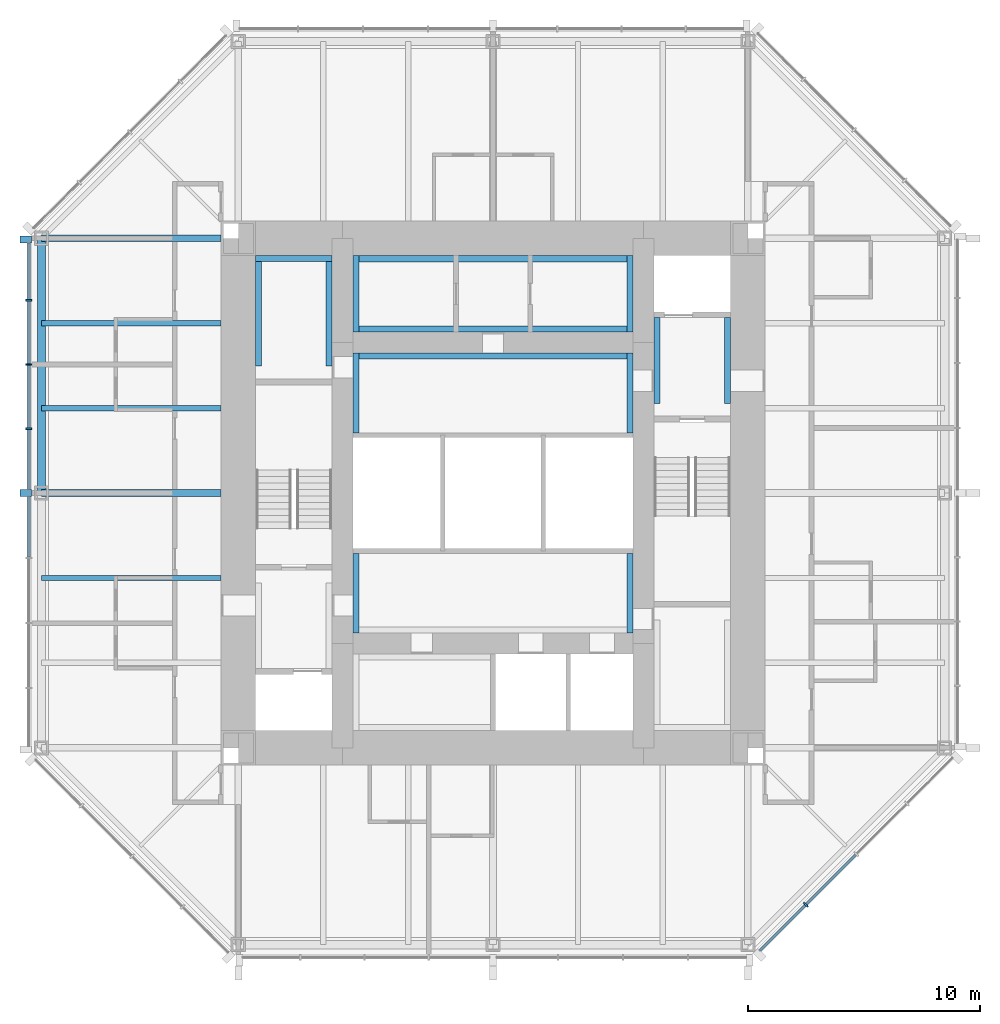
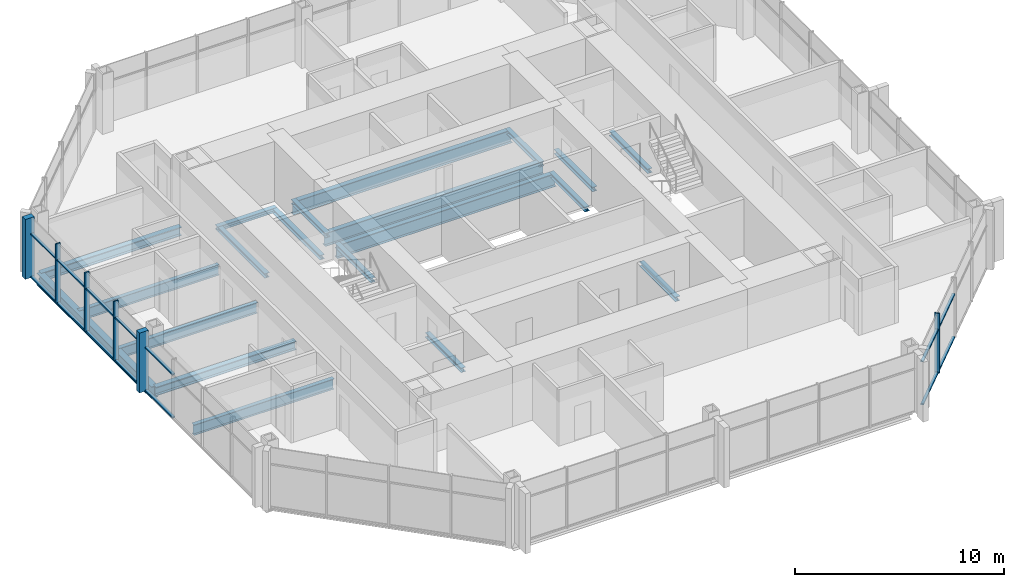
# One storey, part 3 of 11: 20 beams, 20 members, 2 elements without a shape of their own.
"""IFC4 building model written with IfcOpenShell, lengths in metres."""

from ifc_helpers import new_model, si_unit, direction, frame, origin, origin_2d, place, context, subcontext, project, spatial, rectangle, i_section, extrude, material, material_profile, profile_set, type_object, element, aggregate, save


model = new_model("IFC4")

# Units and contexts
model_context = context("Model", 3, precision=1e-05, world=origin(), true_north=direction((0.0, 1.0)))
body_context = subcontext(model_context, "Body", "Model", "MODEL_VIEW")
ifc_project = project(units=[si_unit("LENGTHUNIT", "METRE"), si_unit("AREAUNIT", "SQUARE_METRE"), si_unit("VOLUMEUNIT", "CUBIC_METRE"), si_unit("PLANEANGLEUNIT", "RADIAN"), si_unit("MASSUNIT", "GRAM", prefix="KILO")], contexts=[model_context])

# Site, building, storey
site_placement = place(None, origin())
site = spatial("IfcSite", under=ifc_project, at=site_placement, CompositionType="ELEMENT")
building_placement = place(site_placement, origin())
building = spatial("IfcBuilding", under=site, at=building_placement, Name="Trevanion Tower", CompositionType="ELEMENT")
storey_placement = place(building_placement, frame((0.0, 0.0, 229.199951171875)))
storey = spatial("IfcBuildingStorey", under=building, at=storey_placement, Name="L55", CompositionType="ELEMENT", Elevation=229.199951171875)

# Beams
ifc_material_1 = material(Name="Steel ASTM A992 Grade 50", Category="steel")
ifc_material_profile_1 = material_profile(ifc_material_1, i_section(OverallWidth=0.228271484375, OverallDepth=0.607177734375, WebThickness=0.01123046875, FlangeThickness=0.017333984375, at=origin_2d()), Name="W24X76")
ifc_profile_set_1 = profile_set([ifc_material_profile_1], Name="Steel ASTM A992 Grade 50")
beam_type_1 = type_object("IfcBeamType", Name="B11 W24X76", PredefinedType="BEAM", material=ifc_profile_set_1)
for number, where, z_axis, x_axis, name in (
    (1, (-11.75, 7.333251953125, -0.493408203125), (-1.0, 0.0, 0.0), (0.0, -1.0, 0.0), "B11 L55"),
    (2, (-11.75, 3.666748046875, -0.493408203125), (-1.0, 0.0, 0.0), (0.0, -1.0, 0.0), "B11 L55"),
    (3, (-11.75, -3.666748046875, -0.493408203125), (-1.0, 0.0, 0.0), (0.0, -1.0, 0.0), "B11 L55"),
):
    element("IfcBeam", number, at=place(storey_placement, frame(where, z_axis=z_axis, x_axis=x_axis)), inside=storey, type_object=beam_type_1, Name=name, PredefinedType="BEAM", context=body_context, shape_type="SweptSolid", body=[
        extrude(i_section(OverallWidth=0.228271484375, OverallDepth=0.607177734375, WebThickness=0.01123046875, FlangeThickness=0.017333984375, at=origin_2d()), origin(), (0.0, 0.0, 1.0), 7.75),
    ])

# Curtain wall, members
ifc_material_2 = material(Name="Aluminium and glass", Category="aluminium")
curtain_wall_type = type_object("IfcCurtainWallType", Name="CW3 curtain wall", PredefinedType="USERDEFINED", material=ifc_material_2)
curtain_wall_1_placement = place(storey_placement, origin())
curtain_wall_1 = element("IfcCurtainWall", 4, at=curtain_wall_1_placement, inside=storey, type_object=curtain_wall_type, Name="CW3 L55 4", ObjectType="UNITISED CURTAIN WALL", PredefinedType="USERDEFINED")
ifc_material_3 = material(Name="Aluminium extrusion, anodised bronze", Category="aluminium")
ifc_material_profile_2 = material_profile(ifc_material_3, rectangle(XDim=0.074951171875, YDim=0.25, at=origin_2d()), Name="CW3 mullion")
ifc_profile_set_2 = profile_set([ifc_material_profile_2], Name="Aluminium extrusion, anodised bronze")
member_type_1 = type_object("IfcMemberType", Name="CW3 mullion", PredefinedType="MULLION", material=ifc_profile_set_2)
member_1_placement = place(storey_placement, frame((-20.050048828125, 8.323486328125, -0.18994140625), z_axis=(0.0, 0.0, 1.0), x_axis=(0.0, -1.0, 0.0)))
member_1 = element("IfcMember", 5, at=member_1_placement, type_object=member_type_1, Name="CW3 mullion 2", PredefinedType="MULLION", context=body_context, shape_type="SweptSolid", body=[
    extrude(rectangle(XDim=0.074951171875, YDim=0.25, at=origin_2d()), origin(), (0.0, 0.0, 1.0), 3.5),
])
member_2_placement = place(storey_placement, frame((-20.050048828125, 5.548828125, -0.18994140625), z_axis=(0.0, 0.0, 1.0), x_axis=(0.0, -1.0, 0.0)))
member_2 = element("IfcMember", 6, at=member_2_placement, type_object=member_type_1, Name="CW3 mullion 3", PredefinedType="MULLION", context=body_context, shape_type="SweptSolid", body=[
    extrude(rectangle(XDim=0.074951171875, YDim=0.25, at=origin_2d()), origin(), (0.0, 0.0, 1.0), 3.5),
])
member_3_placement = place(storey_placement, frame((-20.050048828125, 2.7744140625, -0.18994140625), z_axis=(0.0, 0.0, 1.0), x_axis=(0.0, -1.0, 0.0)))
member_3 = element("IfcMember", 7, at=member_3_placement, type_object=member_type_1, Name="CW3 mullion 4", PredefinedType="MULLION", context=body_context, shape_type="SweptSolid", body=[
    extrude(rectangle(XDim=0.074951171875, YDim=0.25, at=origin_2d()), origin(), (0.0, 0.0, 1.0), 3.5),
])

# Curtain wall, member
curtain_wall_2_placement = place(storey_placement, origin())
curtain_wall_2 = element("IfcCurtainWall", 8, at=curtain_wall_2_placement, inside=storey, type_object=curtain_wall_type, Name="CW3 L55 7", ObjectType="UNITISED CURTAIN WALL", PredefinedType="USERDEFINED")
member_4_placement = place(storey_placement, frame((13.502197265625, -17.775390625, -0.18994140625), z_axis=(0.0, 0.0, 1.0), x_axis=(0.707106781187, 0.707106781187, 0.0)))
member_4 = element("IfcMember", 9, at=member_4_placement, type_object=member_type_1, Name="CW3 mullion 2", PredefinedType="MULLION", context=body_context, shape_type="SweptSolid", body=[
    extrude(rectangle(XDim=0.074951171875, YDim=0.25, at=origin_2d()), origin(), (0.0, 0.0, 1.0), 3.5),
])

# Member
ifc_material_4 = material(Name="Aluminium extrusion, anodised bronze", Category="aluminium")
ifc_material_profile_3 = material_profile(ifc_material_4, rectangle(XDim=0.300048828125, YDim=0.5, at=origin_2d()), Name="CW3 pier mullion")
ifc_profile_set_3 = profile_set([ifc_material_profile_3], Name="Aluminium extrusion, anodised bronze")
member_type_2 = type_object("IfcMemberType", Name="CW3 pier mullion", PredefinedType="MULLION", material=ifc_profile_set_3)
member_5_placement = place(storey_placement, frame((-20.175048828125, 10.94775390625, -0.18994140625), z_axis=(0.0, 0.0, 1.0), x_axis=(0.0, -1.0, 0.0)))
member_5 = element("IfcMember", 10, at=member_5_placement, type_object=member_type_2, Name="CW3 pier mullion 1", PredefinedType="MULLION", context=body_context, shape_type="SweptSolid", body=[
    extrude(rectangle(XDim=0.300048828125, YDim=0.5, at=origin_2d()), origin(), (0.0, 0.0, 1.0), 3.5),
])

member_6_placement = place(storey_placement, frame((-20.175048828125, 0.0, -0.18994140625), z_axis=(0.0, 0.0, 1.0), x_axis=(0.0, -1.0, 0.0)))
member_6 = element("IfcMember", 11, at=member_6_placement, type_object=member_type_2, Name="CW3 pier mullion 5", PredefinedType="MULLION", context=body_context, shape_type="SweptSolid", body=[
    extrude(rectangle(XDim=0.300048828125, YDim=0.5, at=origin_2d()), origin(), (0.0, 0.0, 1.0), 3.5),
])

ifc_material_5 = material(Name="Aluminium extrusion, anodised bronze", Category="aluminium")
ifc_material_profile_4 = material_profile(ifc_material_5, rectangle(XDim=0.14990234375, YDim=0.074951171875, at=origin_2d()), Name="CW3 transom")
ifc_profile_set_4 = profile_set([ifc_material_profile_4], Name="Aluminium extrusion, anodised bronze")
member_type_3 = type_object("IfcMemberType", Name="CW3 transom", PredefinedType="USERDEFINED", material=ifc_profile_set_4)
member_7_placement = place(storey_placement, frame((-20.050048828125, 10.7978515625, -0.15234375), z_axis=(0.0, -1.0, 0.0), x_axis=(1.0, 0.0, 0.0)))
member_7 = element("IfcMember", 12, at=member_7_placement, type_object=member_type_3, Name="CW3 transom 1.1", ObjectType="TRANSOM", PredefinedType="USERDEFINED", context=body_context, shape_type="SweptSolid", body=[
    extrude(rectangle(XDim=0.14990234375, YDim=0.074951171875, at=origin_2d()), origin(), (0.0, 0.0, 1.0), 2.43701171875),
])

member_8_placement = place(storey_placement, frame((-20.050048828125, 10.7978515625, 2.360107421875), z_axis=(0.0, -1.0, 0.0), x_axis=(1.0, 0.0, 0.0)))
member_8 = element("IfcMember", 13, at=member_8_placement, type_object=member_type_3, Name="CW3 transom 1.2", ObjectType="TRANSOM", PredefinedType="USERDEFINED", context=body_context, shape_type="SweptSolid", body=[
    extrude(rectangle(XDim=0.14990234375, YDim=0.074951171875, at=origin_2d()), origin(), (0.0, 0.0, 1.0), 2.43701171875),
])

member_9_placement = place(storey_placement, frame((-20.050048828125, 8.285888671875, -0.15234375), z_axis=(0.0, -1.0, 0.0), x_axis=(1.0, 0.0, 0.0)))
member_9 = element("IfcMember", 14, at=member_9_placement, type_object=member_type_3, Name="CW3 transom 2.1", ObjectType="TRANSOM", PredefinedType="USERDEFINED", context=body_context, shape_type="SweptSolid", body=[
    extrude(rectangle(XDim=0.14990234375, YDim=0.074951171875, at=origin_2d()), origin(), (0.0, 0.0, 1.0), 2.699462890625),
])

member_10_placement = place(storey_placement, frame((-20.050048828125, 8.285888671875, 2.360107421875), z_axis=(0.0, -1.0, 0.0), x_axis=(1.0, 0.0, 0.0)))
member_10 = element("IfcMember", 15, at=member_10_placement, type_object=member_type_3, Name="CW3 transom 2.2", ObjectType="TRANSOM", PredefinedType="USERDEFINED", context=body_context, shape_type="SweptSolid", body=[
    extrude(rectangle(XDim=0.14990234375, YDim=0.074951171875, at=origin_2d()), origin(), (0.0, 0.0, 1.0), 2.699462890625),
])

member_11_placement = place(storey_placement, frame((-20.050048828125, 5.511474609375, -0.15234375), z_axis=(0.0, -1.0, 0.0), x_axis=(1.0, 0.0, 0.0)))
member_11 = element("IfcMember", 16, at=member_11_placement, type_object=member_type_3, Name="CW3 transom 3.1", ObjectType="TRANSOM", PredefinedType="USERDEFINED", context=body_context, shape_type="SweptSolid", body=[
    extrude(rectangle(XDim=0.14990234375, YDim=0.074951171875, at=origin_2d()), origin(), (0.0, 0.0, 1.0), 2.699462890625),
])

member_12_placement = place(storey_placement, frame((-20.050048828125, 5.511474609375, 2.360107421875), z_axis=(0.0, -1.0, 0.0), x_axis=(1.0, 0.0, 0.0)))
member_12 = element("IfcMember", 17, at=member_12_placement, type_object=member_type_3, Name="CW3 transom 3.2", ObjectType="TRANSOM", PredefinedType="USERDEFINED", context=body_context, shape_type="SweptSolid", body=[
    extrude(rectangle(XDim=0.14990234375, YDim=0.074951171875, at=origin_2d()), origin(), (0.0, 0.0, 1.0), 2.699462890625),
])

member_13_placement = place(storey_placement, frame((-20.050048828125, 2.737060546875, -0.15234375), z_axis=(0.0, -1.0, 0.0), x_axis=(1.0, 0.0, 0.0)))
member_13 = element("IfcMember", 18, at=member_13_placement, type_object=member_type_3, Name="CW3 transom 4.1", ObjectType="TRANSOM", PredefinedType="USERDEFINED", context=body_context, shape_type="SweptSolid", body=[
    extrude(rectangle(XDim=0.14990234375, YDim=0.074951171875, at=origin_2d()), origin(), (0.0, 0.0, 1.0), 2.587158203125),
])

member_14_placement = place(storey_placement, frame((-20.050048828125, 2.737060546875, 2.360107421875), z_axis=(0.0, -1.0, 0.0), x_axis=(1.0, 0.0, 0.0)))
member_14 = element("IfcMember", 19, at=member_14_placement, type_object=member_type_3, Name="CW3 transom 4.2", ObjectType="TRANSOM", PredefinedType="USERDEFINED", context=body_context, shape_type="SweptSolid", body=[
    extrude(rectangle(XDim=0.14990234375, YDim=0.074951171875, at=origin_2d()), origin(), (0.0, 0.0, 1.0), 2.587158203125),
])

member_15_placement = place(storey_placement, frame((-20.050048828125, -0.14990234375, -0.15234375), z_axis=(0.0, -1.0, 0.0), x_axis=(1.0, 0.0, 0.0)))
member_15 = element("IfcMember", 20, at=member_15_placement, type_object=member_type_3, Name="CW3 transom 5.1", ObjectType="TRANSOM", PredefinedType="USERDEFINED", context=body_context, shape_type="SweptSolid", body=[
    extrude(rectangle(XDim=0.14990234375, YDim=0.074951171875, at=origin_2d()), origin(), (0.0, 0.0, 1.0), 2.619384765625),
])

member_16_placement = place(storey_placement, frame((-20.050048828125, -0.14990234375, 2.360107421875), z_axis=(0.0, -1.0, 0.0), x_axis=(1.0, 0.0, 0.0)))
member_16 = element("IfcMember", 21, at=member_16_placement, type_object=member_type_3, Name="CW3 transom 5.2", ObjectType="TRANSOM", PredefinedType="USERDEFINED", context=body_context, shape_type="SweptSolid", body=[
    extrude(rectangle(XDim=0.14990234375, YDim=0.074951171875, at=origin_2d()), origin(), (0.0, 0.0, 1.0), 2.619384765625),
])

aggregate(curtain_wall_1, [member_5, member_1, member_2, member_3, member_6, member_7, member_8, member_9, member_10, member_11, member_12, member_13, member_14, member_15, member_16])

member_17_placement = place(storey_placement, frame((11.531982421875, -19.745849609375, -0.15234375), z_axis=(0.707106781187, 0.707106781187, 0.0), x_axis=(-0.707106781187, 0.707106781187, 0.0)))
member_17 = element("IfcMember", 22, at=member_17_placement, type_object=member_type_3, Name="CW3 transom 1.1", ObjectType="TRANSOM", PredefinedType="USERDEFINED", context=body_context, shape_type="SweptSolid", body=[
    extrude(rectangle(XDim=0.14990234375, YDim=0.074951171875, at=origin_2d()), origin(), (0.0, 0.0, 1.0), 2.7490234375),
])

member_18_placement = place(storey_placement, frame((11.531982421875, -19.745849609375, 2.360107421875), z_axis=(0.707106781187, 0.707106781187, 0.0), x_axis=(-0.707106781187, 0.707106781187, 0.0)))
member_18 = element("IfcMember", 23, at=member_18_placement, type_object=member_type_3, Name="CW3 transom 1.2", ObjectType="TRANSOM", PredefinedType="USERDEFINED", context=body_context, shape_type="SweptSolid", body=[
    extrude(rectangle(XDim=0.14990234375, YDim=0.074951171875, at=origin_2d()), origin(), (0.0, 0.0, 1.0), 2.7490234375),
])

member_19_placement = place(storey_placement, frame((13.52880859375, -17.7490234375, -0.15234375), z_axis=(0.707106781187, 0.707106781187, 0.0), x_axis=(-0.707106781187, 0.707106781187, 0.0)))
member_19 = element("IfcMember", 24, at=member_19_placement, type_object=member_type_3, Name="CW3 transom 2.1", ObjectType="TRANSOM", PredefinedType="USERDEFINED", context=body_context, shape_type="SweptSolid", body=[
    extrude(rectangle(XDim=0.14990234375, YDim=0.074951171875, at=origin_2d()), origin(), (0.0, 0.0, 1.0), 3.01171875),
])

member_20_placement = place(storey_placement, frame((13.52880859375, -17.7490234375, 2.360107421875), z_axis=(0.707106781187, 0.707106781187, 0.0), x_axis=(-0.707106781187, 0.707106781187, 0.0)))
member_20 = element("IfcMember", 25, at=member_20_placement, type_object=member_type_3, Name="CW3 transom 2.2", ObjectType="TRANSOM", PredefinedType="USERDEFINED", context=body_context, shape_type="SweptSolid", body=[
    extrude(rectangle(XDim=0.14990234375, YDim=0.074951171875, at=origin_2d()), origin(), (0.0, 0.0, 1.0), 3.01171875),
])

aggregate(curtain_wall_2, [member_4, member_17, member_18, member_19, member_20])

# Beams
ifc_material_6 = material(Name="Steel ASTM A992 Grade 50", Category="steel")
ifc_material_profile_5 = material_profile(ifc_material_6, i_section(OverallWidth=0.28955078125, OverallDepth=0.508056640625, WebThickness=0.022705078125, FlangeThickness=0.040283203125, at=origin_2d()), Name="W18X175")
ifc_profile_set_5 = profile_set([ifc_material_profile_5], Name="Steel ASTM A992 Grade 50")
beam_type_2 = type_object("IfcBeamType", Name="G6 W18X175", PredefinedType="BEAM", material=ifc_profile_set_5)
for number, where, z_axis, x_axis, name in (
    (26, (-11.75, 11.0, -0.44384765625), (-1.0, 0.0, 0.0), (0.0, -1.0, 0.0), "G6 L55"),
    (27, (-11.75, 0.0, -0.44384765625), (-1.0, 0.0, 0.0), (0.0, -1.0, 0.0), "G6 L55"),
):
    element("IfcBeam", number, at=place(storey_placement, frame(where, z_axis=z_axis, x_axis=x_axis)), inside=storey, type_object=beam_type_2, Name=name, PredefinedType="BEAM", context=body_context, shape_type="SweptSolid", body=[
        extrude(i_section(OverallWidth=0.28955078125, OverallDepth=0.508056640625, WebThickness=0.022705078125, FlangeThickness=0.040283203125, at=origin_2d()), origin(), (0.0, 0.0, 1.0), 7.75),
    ])
ifc_material_7 = material(Name="Steel ASTM A992 Grade 50", Category="steel")
ifc_material_profile_6 = material_profile(ifc_material_7, i_section(OverallWidth=0.256591796875, OverallDepth=0.26416015625, WebThickness=0.011962890625, FlangeThickness=0.01953125, at=origin_2d()), Name="W10X68")
ifc_profile_set_6 = profile_set([ifc_material_profile_6], Name="Steel ASTM A992 Grade 50")
beam_type_3 = type_object("IfcBeamType", Name="LB1 W10X68", PredefinedType="BEAM", material=ifc_profile_set_6)
for number, where, z_axis, x_axis, name in (
    (28, (-5.921630859375, 2.60009765625, -0.33203125), (0.0, 1.0, 0.0), (-1.0, 0.0, 0.0), "LB1 L55"),
    (29, (5.921630859375, 2.60009765625, -0.33203125), (0.0, 1.0, 0.0), (-1.0, 0.0, 0.0), "LB1 L55"),
    (30, (-5.921630859375, -6.050048828125, -0.33203125), (0.0, 1.0, 0.0), (-1.0, 0.0, 0.0), "LB1 L55"),
    (31, (5.921630859375, -6.050048828125, -0.33203125), (0.0, 1.0, 0.0), (-1.0, 0.0, 0.0), "LB1 L55"),
):
    element("IfcBeam", number, at=place(storey_placement, frame(where, z_axis=z_axis, x_axis=x_axis)), inside=storey, type_object=beam_type_3, Name=name, PredefinedType="BEAM", context=body_context, shape_type="SweptSolid", body=[
        extrude(i_section(OverallWidth=0.256591796875, OverallDepth=0.26416015625, WebThickness=0.011962890625, FlangeThickness=0.01953125, at=origin_2d()), origin(), (0.0, 0.0, 1.0), 3.449951171875),
    ])
for number, where, z_axis, x_axis, name in (
    (32, (7.078369140625, 3.875, -0.33203125), (0.0, 1.0, 0.0), (-1.0, 0.0, 0.0), "LB1 L55"),
    (33, (10.12158203125, 3.875, -0.33203125), (0.0, 1.0, 0.0), (-1.0, 0.0, 0.0), "LB1 L55"),
):
    element("IfcBeam", number, at=place(storey_placement, frame(where, z_axis=z_axis, x_axis=x_axis)), inside=storey, type_object=beam_type_3, Name=name, PredefinedType="BEAM", context=body_context, shape_type="SweptSolid", body=[
        extrude(i_section(OverallWidth=0.256591796875, OverallDepth=0.26416015625, WebThickness=0.011962890625, FlangeThickness=0.01953125, at=origin_2d()), origin(), (0.0, 0.0, 1.0), 3.699951171875),
    ])
for number, where, z_axis, x_axis, name in (
    (34, (-10.12158203125, 5.47509765625, -0.33203125), (0.0, 1.0, 0.0), (-1.0, 0.0, 0.0), "LB1 L55"),
    (35, (-7.078369140625, 5.47509765625, -0.33203125), (0.0, 1.0, 0.0), (-1.0, 0.0, 0.0), "LB1 L55"),
):
    element("IfcBeam", number, at=place(storey_placement, frame(where, z_axis=z_axis, x_axis=x_axis)), inside=storey, type_object=beam_type_3, Name=name, PredefinedType="BEAM", context=body_context, shape_type="SweptSolid", body=[
        extrude(i_section(OverallWidth=0.256591796875, OverallDepth=0.26416015625, WebThickness=0.011962890625, FlangeThickness=0.01953125, at=origin_2d()), origin(), (0.0, 0.0, 1.0), 4.77490234375),
    ])
for number, where, z_axis, x_axis, name in (
    (36, (-10.25, 10.12158203125, -0.33203125), (1.0, 0.0, 0.0), (0.0, 1.0, 0.0), "LB1 L55"),
    (37, (-5.921630859375, 6.949951171875, -0.33203125), (0.0, 1.0, 0.0), (-1.0, 0.0, 0.0), "LB1 L55"),
    (38, (5.921630859375, 6.949951171875, -0.33203125), (0.0, 1.0, 0.0), (-1.0, 0.0, 0.0), "LB1 L55"),
):
    element("IfcBeam", number, at=place(storey_placement, frame(where, z_axis=z_axis, x_axis=x_axis)), inside=storey, type_object=beam_type_3, Name=name, PredefinedType="BEAM", context=body_context, shape_type="SweptSolid", body=[
        extrude(i_section(OverallWidth=0.256591796875, OverallDepth=0.26416015625, WebThickness=0.011962890625, FlangeThickness=0.01953125, at=origin_2d()), origin(), (0.0, 0.0, 1.0), 3.300048828125),
    ])
ifc_material_8 = material(Name="Steel ASTM A992 Grade 50", Category="steel")
ifc_material_profile_7 = material_profile(ifc_material_8, i_section(OverallWidth=0.2666015625, OverallDepth=0.76953125, WebThickness=0.015625, FlangeThickness=0.025390625, at=origin_2d()), Name="W30X132")
ifc_profile_set_7 = profile_set([ifc_material_profile_7], Name="Steel ASTM A992 Grade 50")
beam_type_4 = type_object("IfcBeamType", Name="LB3 W30X132", PredefinedType="BEAM", material=ifc_profile_set_7)
for number, where, z_axis, x_axis, name in (
    (39, (-6.050048828125, 5.91650390625, -0.584716796875), (1.0, 0.0, 0.0), (0.0, 1.0, 0.0), "LB3 L55"),
    (40, (-6.050048828125, 7.08349609375, -0.584716796875), (1.0, 0.0, 0.0), (0.0, 1.0, 0.0), "LB3 L55"),
    (41, (-6.050048828125, 10.11669921875, -0.584716796875), (1.0, 0.0, 0.0), (0.0, 1.0, 0.0), "LB3 L55"),
):
    element("IfcBeam", number, at=place(storey_placement, frame(where, z_axis=z_axis, x_axis=x_axis)), inside=storey, type_object=beam_type_4, Name=name, PredefinedType="BEAM", context=body_context, shape_type="SweptSolid", body=[
        extrude(i_section(OverallWidth=0.2666015625, OverallDepth=0.76953125, WebThickness=0.015625, FlangeThickness=0.025390625, at=origin_2d()), origin(), (0.0, 0.0, 1.0), 12.10009765625),
    ])
ifc_material_9 = material(Name="Steel ASTM A992 Grade 50", Category="steel")
ifc_material_profile_8 = material_profile(ifc_material_9, i_section(OverallWidth=0.355712890625, OverallDepth=0.696044921875, WebThickness=0.015380859375, FlangeThickness=0.024658203125, at=origin_2d()), Name="W27X146")
ifc_profile_set_8 = profile_set([ifc_material_profile_8], Name="Steel ASTM A992 Grade 50")
beam_type_5 = type_object("IfcBeamType", Name="SB8 W27X146", PredefinedType="SPANDREL", material=ifc_profile_set_8)
beam_placement = place(storey_placement, frame((-19.5, 11.0, -0.537841796875), z_axis=(0.0, -1.0, 0.0), x_axis=(1.0, 0.0, 0.0)))
element("IfcBeam", 42, at=beam_placement, inside=storey, type_object=beam_type_5, Name="SB8 L55", PredefinedType="SPANDREL", context=body_context, shape_type="SweptSolid", body=[
    extrude(i_section(OverallWidth=0.355712890625, OverallDepth=0.696044921875, WebThickness=0.015380859375, FlangeThickness=0.024658203125, at=origin_2d()), origin(), (0.0, 0.0, 1.0), 11.0),
])

save(model, "model.ifc")
